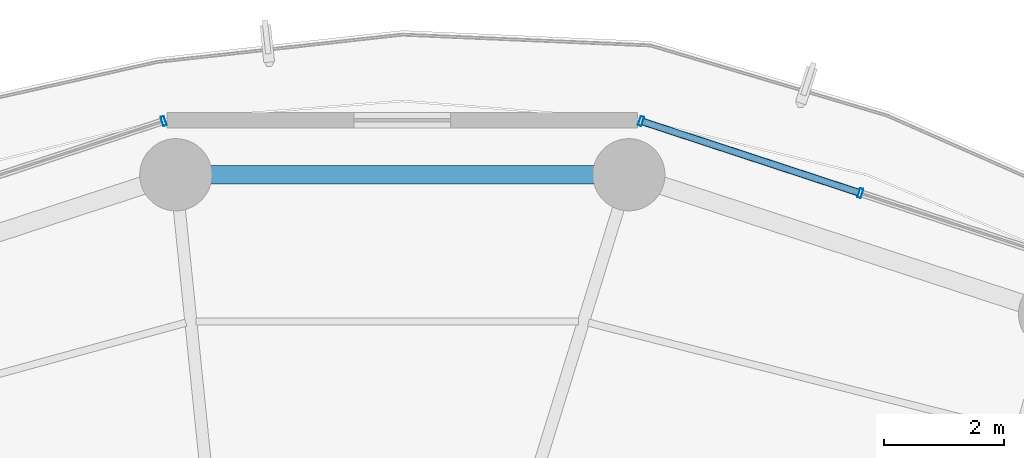
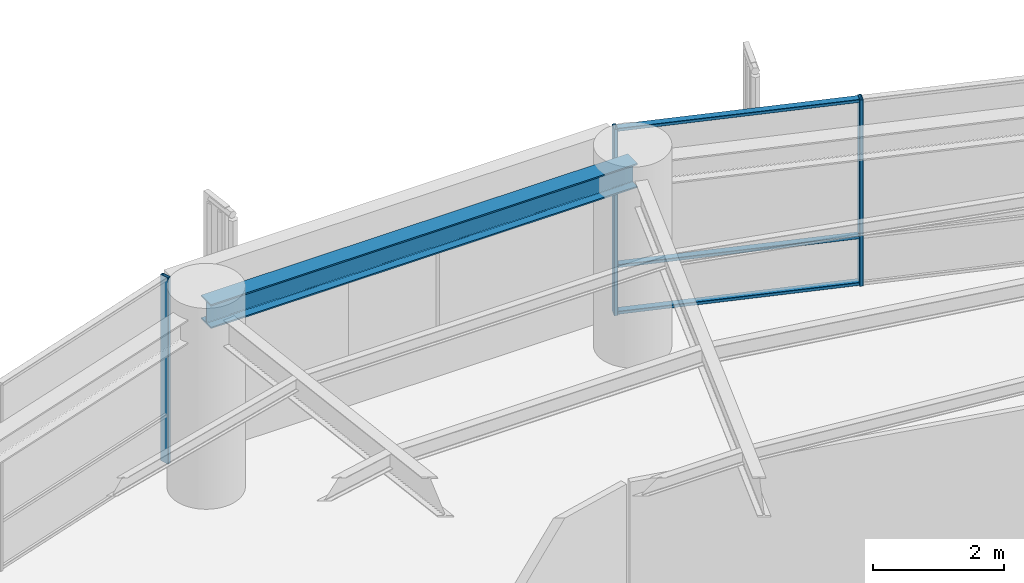
# One storey, part 19 of 28: 6 members, 1 beam, 2 elements without a shape of their own.
"""IFC4 building model written with IfcOpenShell, lengths in metres."""

from ifc_helpers import new_model, si_unit, direction, frame, origin, origin_2d, place, context, subcontext, project, spatial, hollow_rectangle, i_section, extrude, material, layer, layer_set, material_profile, profile_set, type_object, element, aggregate, save


model = new_model("IFC4")

# Units and contexts
model_context = context("Model", 3, precision=1e-05, world=origin(), true_north=direction((0.0, 1.0)))
body_context = subcontext(model_context, "Body", "Model", "MODEL_VIEW")
ifc_project = project(units=[si_unit("LENGTHUNIT", "METRE"), si_unit("AREAUNIT", "SQUARE_METRE"), si_unit("VOLUMEUNIT", "CUBIC_METRE"), si_unit("PLANEANGLEUNIT", "RADIAN"), si_unit("MASSUNIT", "GRAM", prefix="KILO")], contexts=[model_context])

# Site, building, storey
site_placement = place(None, origin())
site = spatial("IfcSite", under=ifc_project, at=site_placement, CompositionType="ELEMENT")
building_placement = place(site_placement, origin())
building = spatial("IfcBuilding", under=site, at=building_placement, Name="Kelanora Arch Commons", CompositionType="ELEMENT")
storey_placement = place(building_placement, frame((0.0, 0.0, 158.10009765625)))
storey = spatial("IfcBuildingStorey", under=building, at=storey_placement, Name="L40", CompositionType="ELEMENT", Elevation=158.10009765625)

# Beam
ifc_material_1 = material(Name="Steel S355", Category="steel")
ifc_material_profile_1 = material_profile(ifc_material_1, i_section(OverallWidth=0.300048828125, OverallDepth=0.449951171875, WebThickness=0.013916015625, FlangeThickness=0.02587890625, FilletRadius=0.027099609375, at=origin_2d()), Name="HEB450")
ifc_profile_set_1 = profile_set([ifc_material_profile_1], Name="Steel S355")
beam_type = type_object("IfcBeamType", Name="BM-SPN-Z3", PredefinedType="SPANDREL", material=ifc_profile_set_1)
beam_placement = place(storey_placement, frame((77.7646484375, 77.18408203125, 3.264892578125), z_axis=(-1.0, 0.0, 0.0), x_axis=(0.0, -1.0, 0.0)))
element("IfcBeam", 1, at=beam_placement, inside=storey, type_object=beam_type, Name="Perimeter Spandrel Beam BS-08 L40", PredefinedType="SPANDREL", context=body_context, shape_type="SweptSolid", body=[
    extrude(i_section(OverallWidth=0.300048828125, OverallDepth=0.449951171875, WebThickness=0.013916015625, FlangeThickness=0.02587890625, FilletRadius=0.027099609375, at=origin_2d()), origin(), (0.0, 0.0, 1.0), 7.529296875),
])

# Curtain wall, members
ifc_material_2 = material(Name="Terracotta ceramic-fritted low-E glass and aluminium", Category="masonry")
ifc_layer = layer(ifc_material_2, 0.175048828125)
ifc_layer_set = layer_set([ifc_layer], Name="Terracotta ceramic-fritted low-E glass and aluminium")
curtain_wall_type = type_object("IfcCurtainWallType", Name="CW-SYS-02", PredefinedType="NOTDEFINED", material=ifc_layer_set)
curtain_wall_1_placement = place(storey_placement, origin())
curtain_wall_1 = element("IfcCurtainWall", 2, at=curtain_wall_1_placement, inside=storey, type_object=curtain_wall_type, Name="Unitised Curtain Wall L40-B03", PredefinedType="NOTDEFINED")
ifc_material_3 = material(Name="Powder-coated aluminium terracotta", Category="masonry")
ifc_material_profile_2 = material_profile(ifc_material_3, hollow_rectangle(XDim=0.159912109375, YDim=0.06005859375, WallThickness=0.0048828125, InnerFilletRadius=0.0048828125, OuterFilletRadius=0.010009765625, at=origin_2d()), Name="CWM160x60")
ifc_profile_set_2 = profile_set([ifc_material_profile_2], Name="Powder-coated aluminium terracotta")
member_type_1 = type_object("IfcMemberType", Name="CWM-STD", PredefinedType="MULLION", material=ifc_profile_set_2)
member_1_placement = place(storey_placement, frame((81.6123046875, 76.87841796875, 0.0), z_axis=(0.0, 0.0, 1.0), x_axis=(-0.312128279571, -0.95003996605, 0.0)))
member_1 = element("IfcMember", 3, at=member_1_placement, type_object=member_type_1, Name="CW-02 mullion 2", PredefinedType="MULLION", context=body_context, shape_type="SweptSolid", body=[
    extrude(hollow_rectangle(XDim=0.159912109375, YDim=0.06005859375, WallThickness=0.0048828125, InnerFilletRadius=0.0048828125, OuterFilletRadius=0.010009765625, at=origin_2d()), origin(), (0.0, 0.0, 1.0), 3.474853515625),
])
member_2_placement = place(storey_placement, frame((77.96728515625, 78.075927734375, 0.0), z_axis=(0.0, 0.0, 1.0), x_axis=(-0.312128279571, -0.95003996605, 0.0)))
member_2 = element("IfcMember", 4, at=member_2_placement, type_object=member_type_1, Name="CW-02 mullion 3", PredefinedType="MULLION", context=body_context, shape_type="SweptSolid", body=[
    extrude(hollow_rectangle(XDim=0.159912109375, YDim=0.06005859375, WallThickness=0.0048828125, InnerFilletRadius=0.0048828125, OuterFilletRadius=0.010009765625, at=origin_2d()), origin(), (0.0, 0.0, 1.0), 3.474853515625),
])

# Curtain wall, member
curtain_wall_2_placement = place(storey_placement, origin())
curtain_wall_2 = element("IfcCurtainWall", 5, at=curtain_wall_2_placement, inside=storey, type_object=curtain_wall_type, Name="Unitised Curtain Wall L40-B05", PredefinedType="NOTDEFINED")
member_3_placement = place(storey_placement, frame((70.03271484375, 78.075927734375, 0.0), z_axis=(0.0, 0.0, 1.0), x_axis=(0.312128279571, -0.95003996605, 0.0)))
member_3 = element("IfcMember", 6, at=member_3_placement, type_object=member_type_1, Name="CW-02 mullion 1", PredefinedType="MULLION", context=body_context, shape_type="SweptSolid", body=[
    extrude(hollow_rectangle(XDim=0.159912109375, YDim=0.06005859375, WallThickness=0.0048828125, InnerFilletRadius=0.0048828125, OuterFilletRadius=0.010009765625, at=origin_2d()), origin(), (0.0, 0.0, 1.0), 3.474853515625),
])
aggregate(curtain_wall_2, [member_3])

# Member
ifc_material_profile_3 = material_profile(ifc_material_3, hollow_rectangle(XDim=0.1201171875, YDim=0.06005859375, WallThickness=0.0048828125, InnerFilletRadius=0.0048828125, OuterFilletRadius=0.010009765625, at=origin_2d()), Name="CWT120x60")
ifc_profile_set_3 = profile_set([ifc_material_profile_3], Name="Powder-coated aluminium terracotta")
member_type_2 = type_object("IfcMemberType", Name="CWT-STD", PredefinedType="USERDEFINED", material=ifc_profile_set_3)
member_4_placement = place(storey_placement, frame((81.583740234375, 76.887939453125, 0.02978515625), z_axis=(-0.950051191155, 0.312094111104, 0.0), x_axis=(-0.312094111104, -0.950051191155, 0.0)))
member_4 = element("IfcMember", 7, at=member_4_placement, type_object=member_type_2, Name="CW-02 transom 2.1", ObjectType="TRANSOM", PredefinedType="USERDEFINED", context=body_context, shape_type="SweptSolid", body=[
    extrude(hollow_rectangle(XDim=0.1201171875, YDim=0.06005859375, WallThickness=0.0048828125, InnerFilletRadius=0.0048828125, OuterFilletRadius=0.010009765625, at=origin_2d()), origin(), (0.0, 0.0, 1.0), 3.77685546875),
])

member_5_placement = place(storey_placement, frame((81.583740234375, 76.887939453125, 0.89990234375), z_axis=(-0.950051191155, 0.312094111104, 0.0), x_axis=(-0.312094111104, -0.950051191155, 0.0)))
member_5 = element("IfcMember", 8, at=member_5_placement, type_object=member_type_2, Name="CW-02 transom 2.2", ObjectType="TRANSOM", PredefinedType="USERDEFINED", context=body_context, shape_type="SweptSolid", body=[
    extrude(hollow_rectangle(XDim=0.1201171875, YDim=0.06005859375, WallThickness=0.0048828125, InnerFilletRadius=0.0048828125, OuterFilletRadius=0.010009765625, at=origin_2d()), origin(), (0.0, 0.0, 1.0), 3.77685546875),
])

member_6_placement = place(storey_placement, frame((81.583740234375, 76.887939453125, 3.44482421875), z_axis=(-0.950051191155, 0.312094111104, 0.0), x_axis=(-0.312094111104, -0.950051191155, 0.0)))
member_6 = element("IfcMember", 9, at=member_6_placement, type_object=member_type_2, Name="CW-02 transom 2.3", ObjectType="TRANSOM", PredefinedType="USERDEFINED", context=body_context, shape_type="SweptSolid", body=[
    extrude(hollow_rectangle(XDim=0.1201171875, YDim=0.06005859375, WallThickness=0.0048828125, InnerFilletRadius=0.0048828125, OuterFilletRadius=0.010009765625, at=origin_2d()), origin(), (0.0, 0.0, 1.0), 3.77685546875),
])

aggregate(curtain_wall_1, [member_1, member_2, member_4, member_5, member_6])

save(model, "model.ifc")
